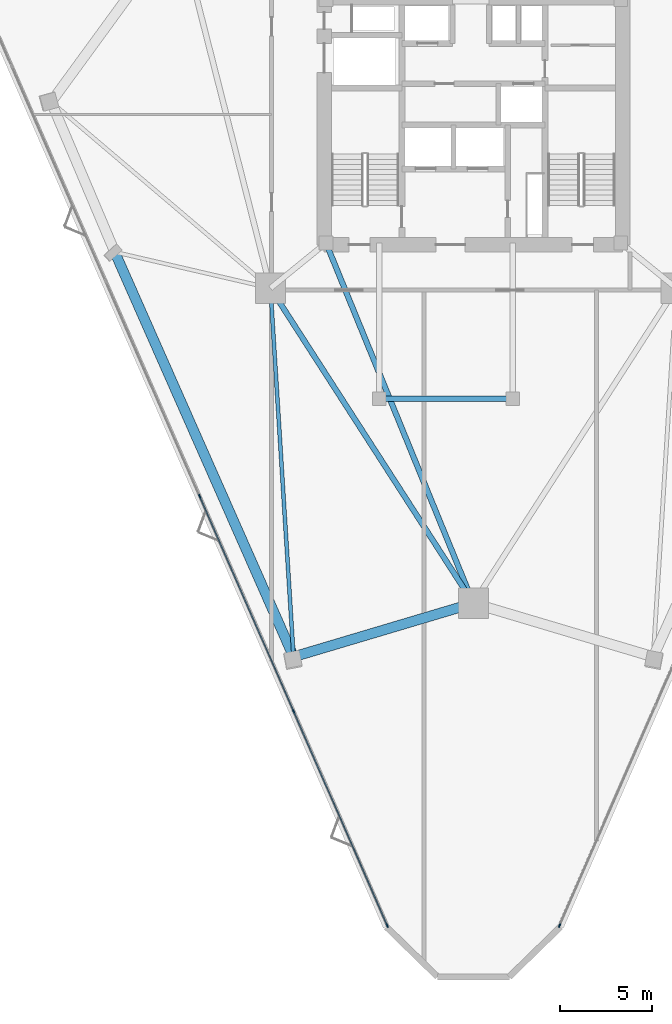
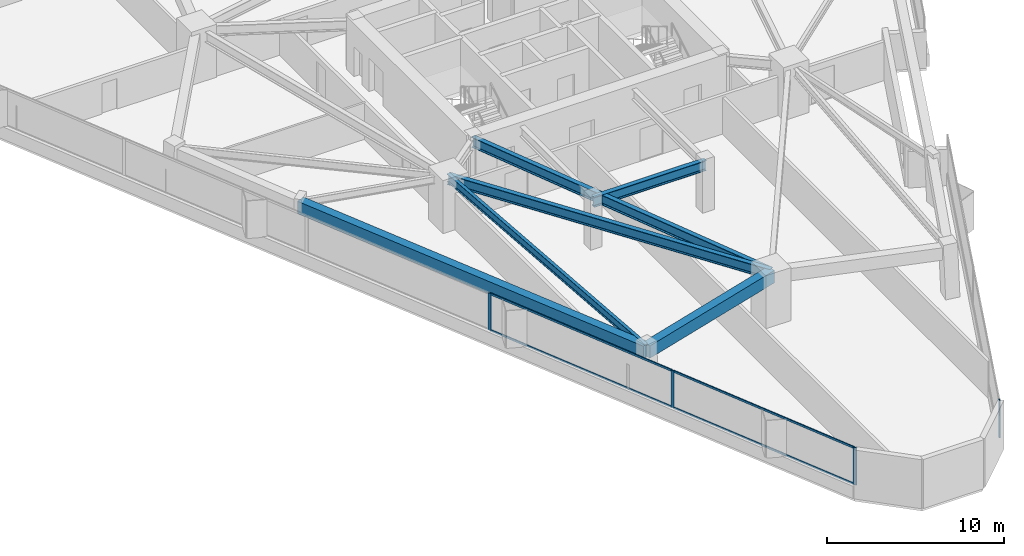
# One storey, part 2 of 13: 8 members, 6 beams, 2 elements without a shape of their own.
"""IFC4 building model written with IfcOpenShell, lengths in metres."""

from ifc_helpers import new_model, si_unit, direction, frame, origin, origin_2d, place, context, subcontext, project, spatial, rectangle, i_section, extrude, material, layer, layer_set, material_profile, profile_set, type_object, element, aggregate, save


model = new_model("IFC4")

# Units and contexts
model_context = context("Model", 3, precision=1e-05, world=origin(), true_north=direction((0.0, 1.0)))
body_context = subcontext(model_context, "Body", "Model", "MODEL_VIEW")
ifc_project = project(units=[si_unit("LENGTHUNIT", "METRE"), si_unit("AREAUNIT", "SQUARE_METRE"), si_unit("VOLUMEUNIT", "CUBIC_METRE"), si_unit("PLANEANGLEUNIT", "RADIAN"), si_unit("MASSUNIT", "GRAM", prefix="KILO")], contexts=[model_context])

# Site, building, storey
site_placement = place(None, origin())
site = spatial("IfcSite", under=ifc_project, at=site_placement, CompositionType="ELEMENT")
building_placement = place(site_placement, origin())
building = spatial("IfcBuilding", under=site, at=building_placement, Name="Talyreon Biosciences Tower", CompositionType="ELEMENT")
storey_placement = place(building_placement, frame((0.0, 0.0, 104.199951171875)))
storey = spatial("IfcBuildingStorey", under=building, at=storey_placement, Name="L27", CompositionType="ELEMENT", Elevation=104.199951171875)

# Curtain wall, member
ifc_material_1 = material(Name="Thermally broken aluminium and low-E glazing", Category="aluminium")
ifc_layer = layer(ifc_material_1, 0.205078125)
ifc_layer_set = layer_set([ifc_layer], Name="Thermally broken aluminium and low-E glazing")
curtain_wall_type = type_object("IfcCurtainWallType", Name="CurtainWall_SkyGardenLoggia", PredefinedType="NOTDEFINED", material=ifc_layer_set)
curtain_wall_1_placement = place(storey_placement, origin())
curtain_wall_1 = element("IfcCurtainWall", 1, at=curtain_wall_1_placement, inside=storey, type_object=curtain_wall_type, Name="L27 Unitised Curtain Wall FCW-L27-11", PredefinedType="NOTDEFINED")
ifc_material_2 = material(Name="Anodised thermally broken aluminium", Category="aluminium")
ifc_material_profile_1 = material_profile(ifc_material_2, rectangle(XDim=0.074951171875, YDim=0.2099609375, at=origin_2d()), Name="ALUM MULLION 75x210")
ifc_profile_set_1 = profile_set([ifc_material_profile_1], Name="Anodised thermally broken aluminium")
member_type_1 = type_object("IfcMemberType", Name="CWMullion_75x210", PredefinedType="MULLION", material=ifc_profile_set_1)
member_1_placement = place(storey_placement, frame((70.706787109375, 24.058349609375, 0.81005859375), z_axis=(0.0, 0.0, 1.0), x_axis=(0.916345572627, -0.400388300937, 0.0)))
member_1 = element("IfcMember", 2, at=member_1_placement, type_object=member_type_1, Name="CW7 mullion 3", PredefinedType="MULLION", context=body_context, shape_type="SweptSolid", body=[
    extrude(rectangle(XDim=0.074951171875, YDim=0.2099609375, at=origin_2d()), origin(), (0.0, 0.0, 1.0), 2.56494140625),
])
aggregate(curtain_wall_1, [member_1])

# Curtain wall, members
curtain_wall_2_placement = place(storey_placement, origin())
curtain_wall_2 = element("IfcCurtainWall", 3, at=curtain_wall_2_placement, inside=storey, type_object=curtain_wall_type, Name="L27 Unitised Curtain Wall FCW-L27-15", PredefinedType="NOTDEFINED")
member_2_placement = place(storey_placement, frame((61.293212890625, 24.058349609375, 0.81005859375), z_axis=(0.0, 0.0, 1.0), x_axis=(-0.9163461482, -0.400386983653, 0.0)))
member_2 = element("IfcMember", 4, at=member_2_placement, type_object=member_type_1, Name="CW7 mullion 1", PredefinedType="MULLION", context=body_context, shape_type="SweptSolid", body=[
    extrude(rectangle(XDim=0.074951171875, YDim=0.2099609375, at=origin_2d()), origin(), (0.0, 0.0, 1.0), 2.56494140625),
])
member_3_placement = place(storey_placement, frame((56.177490234375, 35.7666015625, 0.81005859375), z_axis=(0.0, 0.0, 1.0), x_axis=(-0.9163461482, -0.400386983653, 0.0)))
member_3 = element("IfcMember", 5, at=member_3_placement, type_object=member_type_1, Name="CW7 mullion 2", PredefinedType="MULLION", context=body_context, shape_type="SweptSolid", body=[
    extrude(rectangle(XDim=0.074951171875, YDim=0.2099609375, at=origin_2d()), origin(), (0.0, 0.0, 1.0), 2.56494140625),
])
member_4_placement = place(storey_placement, frame((51.046875, 47.509033203125, 0.81005859375), z_axis=(0.0, 0.0, 1.0), x_axis=(-0.9163461482, -0.400386983653, 0.0)))
member_4 = element("IfcMember", 6, at=member_4_placement, type_object=member_type_1, Name="CW7 mullion 3", PredefinedType="MULLION", context=body_context, shape_type="SweptSolid", body=[
    extrude(rectangle(XDim=0.074951171875, YDim=0.2099609375, at=origin_2d()), origin(), (0.0, 0.0, 1.0), 2.56494140625),
])
ifc_material_profile_2 = material_profile(ifc_material_2, rectangle(XDim=0.06494140625, YDim=0.139892578125, at=origin_2d()), Name="ALUM TRANSOM 65x140")
ifc_profile_set_2 = profile_set([ifc_material_profile_2], Name="Anodised thermally broken aluminium")
member_type_2 = type_object("IfcMemberType", Name="CWTransom_65x140", PredefinedType="USERDEFINED", material=ifc_profile_set_2)
member_5_placement = place(storey_placement, frame((61.2783203125, 24.0927734375, 0.842529296875), z_axis=(-0.400386229252, 0.916346477827, 0.0), x_axis=(-0.916346477827, -0.400386229252, 0.0)))
member_5 = element("IfcMember", 7, at=member_5_placement, type_object=member_type_2, Name="CW7 transom 1.1", ObjectType="TRANSOM", PredefinedType="USERDEFINED", context=body_context, shape_type="SweptSolid", body=[
    extrude(rectangle(XDim=0.06494140625, YDim=0.139892578125, at=origin_2d()), origin(), (0.0, 0.0, 1.0), 12.701904296875),
])
member_6_placement = place(storey_placement, frame((61.2783203125, 24.0927734375, 3.342529296875), z_axis=(-0.400386229252, 0.916346477827, 0.0), x_axis=(-0.916346477827, -0.400386229252, 0.0)))
member_6 = element("IfcMember", 8, at=member_6_placement, type_object=member_type_2, Name="CW7 transom 1.2", ObjectType="TRANSOM", PredefinedType="USERDEFINED", context=body_context, shape_type="SweptSolid", body=[
    extrude(rectangle(XDim=0.06494140625, YDim=0.139892578125, at=origin_2d()), origin(), (0.0, 0.0, 1.0), 12.701904296875),
])
member_7_placement = place(storey_placement, frame((56.16259765625, 35.80078125, 0.842529296875), z_axis=(-0.400392533988, 0.916343723025, 0.0), x_axis=(-0.916343723025, -0.400392533988, 0.0)))
member_7 = element("IfcMember", 9, at=member_7_placement, type_object=member_type_2, Name="CW7 transom 2.1", ObjectType="TRANSOM", PredefinedType="USERDEFINED", context=body_context, shape_type="SweptSolid", body=[
    extrude(rectangle(XDim=0.06494140625, YDim=0.139892578125, at=origin_2d()), origin(), (0.0, 0.0, 1.0), 12.739501953125),
])
member_8_placement = place(storey_placement, frame((56.16259765625, 35.80078125, 3.342529296875), z_axis=(-0.400392533988, 0.916343723025, 0.0), x_axis=(-0.916343723025, -0.400392533988, 0.0)))
member_8 = element("IfcMember", 10, at=member_8_placement, type_object=member_type_2, Name="CW7 transom 2.2", ObjectType="TRANSOM", PredefinedType="USERDEFINED", context=body_context, shape_type="SweptSolid", body=[
    extrude(rectangle(XDim=0.06494140625, YDim=0.139892578125, at=origin_2d()), origin(), (0.0, 0.0, 1.0), 12.739501953125),
])
aggregate(curtain_wall_2, [member_2, member_3, member_4, member_5, member_6, member_7, member_8])

# Beams
ifc_material_3 = material(Name="Precast concrete C45/55", Category="concrete")
ifc_material_profile_3 = material_profile(ifc_material_3, rectangle(XDim=0.550048828125, YDim=0.85009765625, at=origin_2d()), Name="RCB 550x850")
ifc_profile_set_3 = profile_set([ifc_material_profile_3], Name="Precast concrete C45/55")
beam_type_1 = type_object("IfcBeamType", Name="ExpressedSpandrel_550x850", PredefinedType="SPANDREL", material=ifc_profile_set_3)
beam_1_placement = place(storey_placement, frame((46.408447265625, 60.852783203125, 2.949951171875), z_axis=(0.404120810947, -0.914705619399, 0.0), x_axis=(0.914705619399, 0.404120810947, 0.0)))
element("IfcBeam", 11, at=beam_1_placement, inside=storey, type_object=beam_type_1, Name="L27 Expressed Horizontal Concrete Spandrel 11", PredefinedType="SPANDREL", context=body_context, shape_type="SweptSolid", body=[
    extrude(rectangle(XDim=0.550048828125, YDim=0.85009765625, at=origin_2d()), origin(), (0.0, 0.0, 1.0), 24.17236328125),
])
beam_2_placement = place(storey_placement, frame((56.177001953125, 38.7421875, 2.949951171875), z_axis=(0.958417570325, 0.285369516403, 0.0), x_axis=(-0.285369516403, 0.958417570325, 0.0)))
element("IfcBeam", 12, at=beam_2_placement, inside=storey, type_object=beam_type_1, Name="L27 Expressed Horizontal Concrete Spandrel 12", PredefinedType="SPANDREL", context=body_context, shape_type="SweptSolid", body=[
    extrude(rectangle(XDim=0.550048828125, YDim=0.85009765625, at=origin_2d()), origin(), (0.0, 0.0, 1.0), 10.249267578125),
])
ifc_material_4 = material(Name="Steel SM355", Category="steel")
ifc_material_profile_4 = material_profile(ifc_material_4, i_section(OverallWidth=0.300048828125, OverallDepth=0.699951171875, WebThickness=0.01708984375, FlangeThickness=0.031982421875, FilletRadius=0.027099609375, at=origin_2d()), Name="HE700B")
ifc_profile_set_4 = profile_set([ifc_material_profile_4], Name="Steel SM355")
beam_type_2 = type_object("IfcBeamType", Name="SteelGirder_HE700B", PredefinedType="BEAM", material=ifc_profile_set_4)
beam_3_placement = place(storey_placement, frame((54.913818359375, 58.88037109375, 3.025146484375), z_axis=(0.541463723609, -0.840724114092, 0.0), x_axis=(0.840724114092, 0.541463723609, 0.0)))
element("IfcBeam", 13, at=beam_3_placement, inside=storey, type_object=beam_type_2, Name="L27 Mega-Ring Girder 6", PredefinedType="BEAM", context=body_context, shape_type="SweptSolid", body=[
    extrude(i_section(OverallWidth=0.300048828125, OverallDepth=0.699951171875, WebThickness=0.01708984375, FlangeThickness=0.031982421875, FilletRadius=0.027099609375, at=origin_2d()), origin(), (0.0, 0.0, 1.0), 20.474365234375),
])
beam_4_placement = place(storey_placement, frame((57.949951171875, 61.35009765625, 3.025146484375), z_axis=(0.378547014545, -0.925582064314, 0.0), x_axis=(0.925582064314, 0.378547014545, 0.0)))
element("IfcBeam", 14, at=beam_4_placement, inside=storey, type_object=beam_type_2, Name="L27 Radial Primary Girder 1", PredefinedType="BEAM", context=body_context, shape_type="SweptSolid", body=[
    extrude(i_section(OverallWidth=0.300048828125, OverallDepth=0.699951171875, WebThickness=0.01708984375, FlangeThickness=0.031982421875, FilletRadius=0.027099609375, at=origin_2d()), origin(), (0.0, 0.0, 1.0), 21.265625),
])
beam_5_placement = place(storey_placement, frame((60.85009765625, 52.840087890625, 3.025146484375), z_axis=(1.0, 0.0, 0.0), x_axis=(0.0, 1.0, 0.0)))
element("IfcBeam", 15, at=beam_5_placement, inside=storey, type_object=beam_type_2, Name="L27 Crown Shaft Spine Girder S", PredefinedType="BEAM", context=body_context, shape_type="SweptSolid", body=[
    extrude(i_section(OverallWidth=0.300048828125, OverallDepth=0.699951171875, WebThickness=0.01708984375, FlangeThickness=0.031982421875, FilletRadius=0.027099609375, at=origin_2d()), origin(), (0.0, 0.0, 1.0), 7.2998046875),
])
ifc_material_profile_5 = material_profile(ifc_material_4, i_section(OverallWidth=0.2099609375, OverallDepth=0.550048828125, WebThickness=0.010986328125, FlangeThickness=0.01708984375, FilletRadius=0.02392578125, at=origin_2d()), Name="IPE550")
ifc_profile_set_5 = profile_set([ifc_material_profile_5], Name="Steel SM355")
beam_type_3 = type_object("IfcBeamType", Name="SteelJoist_IPE550", PredefinedType="JOIST", material=ifc_profile_set_5)
beam_6_placement = place(storey_placement, frame((54.913818359375, 58.88037109375, 3.10009765625), z_axis=(0.062602760717, -0.99803852348, 0.0), x_axis=(0.99803852348, 0.062602760717, 0.0)))
element("IfcBeam", 16, at=beam_6_placement, inside=storey, type_object=beam_type_3, Name="L27 Radial Composite Floor Joist PC-SW2", PredefinedType="JOIST", context=body_context, shape_type="SweptSolid", body=[
    extrude(i_section(OverallWidth=0.2099609375, OverallDepth=0.550048828125, WebThickness=0.010986328125, FlangeThickness=0.01708984375, FilletRadius=0.02392578125, at=origin_2d()), origin(), (0.0, 0.0, 1.0), 20.177734375),
])

save(model, "model.ifc")
